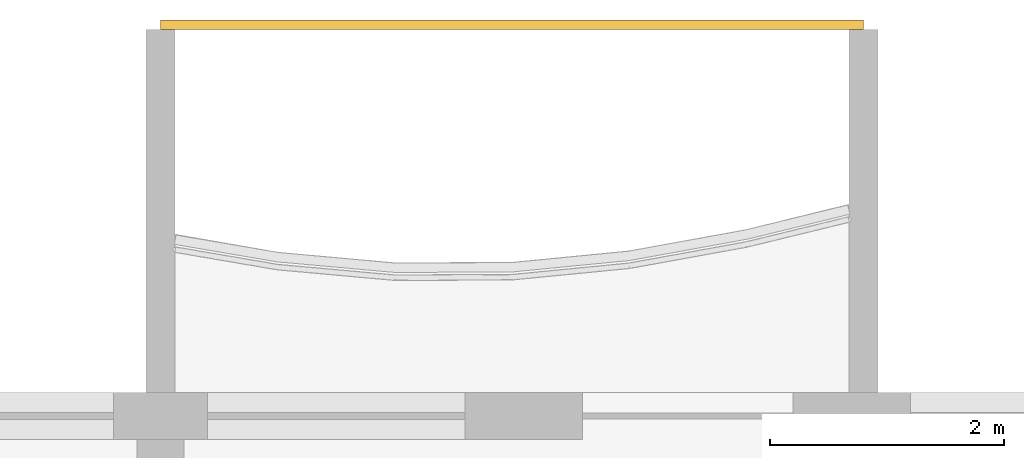
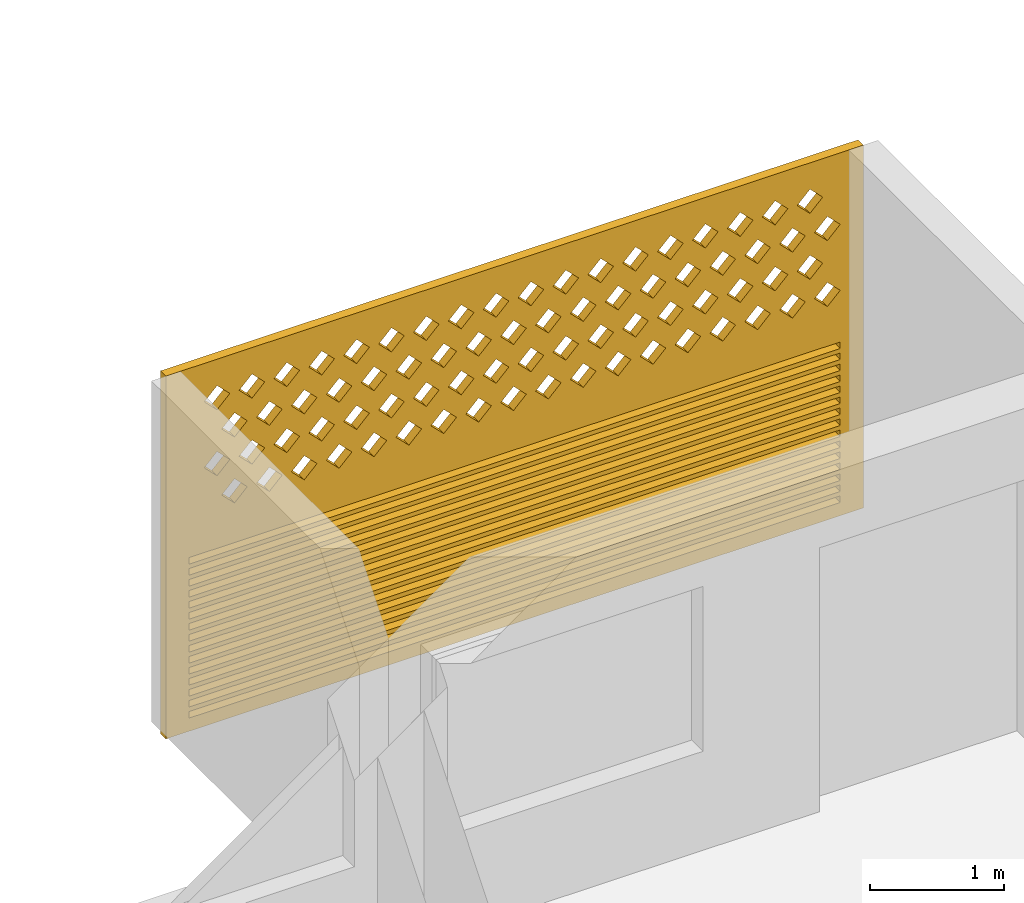
# One storey, part 27 of 40: 1 covering.
"""IFC4 building model written with IfcOpenShell, lengths in metres."""

from ifc_helpers import new_model, si_unit, direction, frame, origin, place, context, subcontext, project, spatial, polyline, outline, extrude, source, transform, mapped, material, material_profile, profile_set, type_object, element, save


model = new_model("IFC4")

# Units and contexts
model_context = context("Model", 3, precision=1e-05, world=origin(), true_north=direction((0.0, 1.0)))
body_context = subcontext(model_context, "Body", "Model", "MODEL_VIEW")
ifc_project = project(units=[si_unit("LENGTHUNIT", "METRE"), si_unit("AREAUNIT", "SQUARE_METRE"), si_unit("VOLUMEUNIT", "CUBIC_METRE"), si_unit("PLANEANGLEUNIT", "RADIAN"), si_unit("MASSUNIT", "GRAM", prefix="KILO")], contexts=[model_context])

# Site, building, storey
site_placement = place(None, origin())
site = spatial("IfcSite", under=ifc_project, at=site_placement, CompositionType="ELEMENT")
building_placement = place(site_placement, origin())
building = spatial("IfcBuilding", under=site, at=building_placement, Name="Poui Terraces", CompositionType="ELEMENT")
storey_placement = place(building_placement, frame((0.0, 0.0, 36.60009765625)))
storey = spatial("IfcBuildingStorey", under=building, at=storey_placement, Name="L09", CompositionType="ELEMENT", Elevation=36.60009765625)

# Covering
ifc_material = material(Name="Terracotta screen", Category="masonry")
ifc_material_profile = material_profile(ifc_material, outline(polyline([(-3.0, -1.64990234375), (3.0, -1.64990234375), (3.0, 1.64990234375), (-3.0, 1.64990234375), (-3.0, -1.64990234375)]), holes=[polyline([(-2.800048828125, 0.39990234375), (-2.68994140625, 0.2900390625), (-2.580078125, 0.39990234375), (-2.68994140625, 0.510009765625), (-2.800048828125, 0.39990234375)]), polyline([(-2.5, 0.39990234375), (-2.389892578125, 0.2900390625), (-2.280029296875, 0.39990234375), (-2.389892578125, 0.510009765625), (-2.5, 0.39990234375)]), polyline([(-2.199951171875, 0.39990234375), (-2.090087890625, 0.2900390625), (-1.97998046875, 0.39990234375), (-2.090087890625, 0.510009765625), (-2.199951171875, 0.39990234375)]), polyline([(-1.89990234375, 0.39990234375), (-1.7900390625, 0.2900390625), (-1.679931640625, 0.39990234375), (-1.7900390625, 0.510009765625), (-1.89990234375, 0.39990234375)]), polyline([(-1.60009765625, 0.39990234375), (-1.489990234375, 0.2900390625), (-1.3798828125, 0.39990234375), (-1.489990234375, 0.510009765625), (-1.60009765625, 0.39990234375)]), polyline([(-1.300048828125, 0.39990234375), (-1.18994140625, 0.2900390625), (-1.080078125, 0.39990234375), (-1.18994140625, 0.510009765625), (-1.300048828125, 0.39990234375)]), polyline([(-1.0, 0.39990234375), (-0.889892578125, 0.2900390625), (-0.780029296875, 0.39990234375), (-0.889892578125, 0.510009765625), (-1.0, 0.39990234375)]), polyline([(-0.699951171875, 0.39990234375), (-0.590087890625, 0.2900390625), (-0.47998046875, 0.39990234375), (-0.590087890625, 0.510009765625), (-0.699951171875, 0.39990234375)]), polyline([(-0.39990234375, 0.39990234375), (-0.2900390625, 0.2900390625), (-0.179931640625, 0.39990234375), (-0.2900390625, 0.510009765625), (-0.39990234375, 0.39990234375)]), polyline([(-0.10009765625, 0.39990234375), (0.010009765625, 0.2900390625), (0.1201171875, 0.39990234375), (0.010009765625, 0.510009765625), (-0.10009765625, 0.39990234375)]), polyline([(0.199951171875, 0.39990234375), (0.31005859375, 0.2900390625), (0.419921875, 0.39990234375), (0.31005859375, 0.510009765625), (0.199951171875, 0.39990234375)]), polyline([(0.5, 0.39990234375), (0.610107421875, 0.2900390625), (0.719970703125, 0.39990234375), (0.610107421875, 0.510009765625), (0.5, 0.39990234375)]), polyline([(0.800048828125, 0.39990234375), (0.909912109375, 0.2900390625), (1.02001953125, 0.39990234375), (0.909912109375, 0.510009765625), (0.800048828125, 0.39990234375)]), polyline([(1.10009765625, 0.39990234375), (1.2099609375, 0.2900390625), (1.320068359375, 0.39990234375), (1.2099609375, 0.510009765625), (1.10009765625, 0.39990234375)]), polyline([(1.39990234375, 0.39990234375), (1.510009765625, 0.2900390625), (1.6201171875, 0.39990234375), (1.510009765625, 0.510009765625), (1.39990234375, 0.39990234375)]), polyline([(1.699951171875, 0.39990234375), (1.81005859375, 0.2900390625), (1.919921875, 0.39990234375), (1.81005859375, 0.510009765625), (1.699951171875, 0.39990234375)]), polyline([(2.0, 0.39990234375), (2.110107421875, 0.2900390625), (2.219970703125, 0.39990234375), (2.110107421875, 0.510009765625), (2.0, 0.39990234375)]), polyline([(2.300048828125, 0.39990234375), (2.409912109375, 0.2900390625), (2.52001953125, 0.39990234375), (2.409912109375, 0.510009765625), (2.300048828125, 0.39990234375)]), polyline([(-2.64990234375, 0.699951171875), (-2.5400390625, 0.590087890625), (-2.429931640625, 0.699951171875), (-2.5400390625, 0.81005859375), (-2.64990234375, 0.699951171875)]), polyline([(-2.35009765625, 0.699951171875), (-2.239990234375, 0.590087890625), (-2.1298828125, 0.699951171875), (-2.239990234375, 0.81005859375), (-2.35009765625, 0.699951171875)]), polyline([(-2.050048828125, 0.699951171875), (-1.93994140625, 0.590087890625), (-1.830078125, 0.699951171875), (-1.93994140625, 0.81005859375), (-2.050048828125, 0.699951171875)]), polyline([(-1.75, 0.699951171875), (-1.639892578125, 0.590087890625), (-1.530029296875, 0.699951171875), (-1.639892578125, 0.81005859375), (-1.75, 0.699951171875)]), polyline([(-1.449951171875, 0.699951171875), (-1.340087890625, 0.590087890625), (-1.22998046875, 0.699951171875), (-1.340087890625, 0.81005859375), (-1.449951171875, 0.699951171875)]), polyline([(-1.14990234375, 0.699951171875), (-1.0400390625, 0.590087890625), (-0.929931640625, 0.699951171875), (-1.0400390625, 0.81005859375), (-1.14990234375, 0.699951171875)]), polyline([(-0.85009765625, 0.699951171875), (-0.739990234375, 0.590087890625), (-0.6298828125, 0.699951171875), (-0.739990234375, 0.81005859375), (-0.85009765625, 0.699951171875)]), polyline([(-0.550048828125, 0.699951171875), (-0.43994140625, 0.590087890625), (-0.330078125, 0.699951171875), (-0.43994140625, 0.81005859375), (-0.550048828125, 0.699951171875)]), polyline([(-0.25, 0.699951171875), (-0.139892578125, 0.590087890625), (-0.030029296875, 0.699951171875), (-0.139892578125, 0.81005859375), (-0.25, 0.699951171875)]), polyline([(0.050048828125, 0.699951171875), (0.159912109375, 0.590087890625), (0.27001953125, 0.699951171875), (0.159912109375, 0.81005859375), (0.050048828125, 0.699951171875)]), polyline([(0.35009765625, 0.699951171875), (0.4599609375, 0.590087890625), (0.570068359375, 0.699951171875), (0.4599609375, 0.81005859375), (0.35009765625, 0.699951171875)]), polyline([(0.64990234375, 0.699951171875), (0.760009765625, 0.590087890625), (0.8701171875, 0.699951171875), (0.760009765625, 0.81005859375), (0.64990234375, 0.699951171875)]), polyline([(0.949951171875, 0.699951171875), (1.06005859375, 0.590087890625), (1.169921875, 0.699951171875), (1.06005859375, 0.81005859375), (0.949951171875, 0.699951171875)]), polyline([(1.25, 0.699951171875), (1.360107421875, 0.590087890625), (1.469970703125, 0.699951171875), (1.360107421875, 0.81005859375), (1.25, 0.699951171875)]), polyline([(1.550048828125, 0.699951171875), (1.659912109375, 0.590087890625), (1.77001953125, 0.699951171875), (1.659912109375, 0.81005859375), (1.550048828125, 0.699951171875)]), polyline([(1.85009765625, 0.699951171875), (1.9599609375, 0.590087890625), (2.070068359375, 0.699951171875), (1.9599609375, 0.81005859375), (1.85009765625, 0.699951171875)]), polyline([(2.14990234375, 0.699951171875), (2.260009765625, 0.590087890625), (2.3701171875, 0.699951171875), (2.260009765625, 0.81005859375), (2.14990234375, 0.699951171875)]), polyline([(2.449951171875, 0.699951171875), (2.56005859375, 0.590087890625), (2.669921875, 0.699951171875), (2.56005859375, 0.81005859375), (2.449951171875, 0.699951171875)]), polyline([(-2.800048828125, 1.0), (-2.68994140625, 0.889892578125), (-2.580078125, 1.0), (-2.68994140625, 1.110107421875), (-2.800048828125, 1.0)]), polyline([(-2.5, 1.0), (-2.389892578125, 0.889892578125), (-2.280029296875, 1.0), (-2.389892578125, 1.110107421875), (-2.5, 1.0)]), polyline([(-2.199951171875, 1.0), (-2.090087890625, 0.889892578125), (-1.97998046875, 1.0), (-2.090087890625, 1.110107421875), (-2.199951171875, 1.0)]), polyline([(-1.89990234375, 1.0), (-1.7900390625, 0.889892578125), (-1.679931640625, 1.0), (-1.7900390625, 1.110107421875), (-1.89990234375, 1.0)]), polyline([(-1.60009765625, 1.0), (-1.489990234375, 0.889892578125), (-1.3798828125, 1.0), (-1.489990234375, 1.110107421875), (-1.60009765625, 1.0)]), polyline([(-1.300048828125, 1.0), (-1.18994140625, 0.889892578125), (-1.080078125, 1.0), (-1.18994140625, 1.110107421875), (-1.300048828125, 1.0)]), polyline([(-1.0, 1.0), (-0.889892578125, 0.889892578125), (-0.780029296875, 1.0), (-0.889892578125, 1.110107421875), (-1.0, 1.0)]), polyline([(-0.699951171875, 1.0), (-0.590087890625, 0.889892578125), (-0.47998046875, 1.0), (-0.590087890625, 1.110107421875), (-0.699951171875, 1.0)]), polyline([(-0.39990234375, 1.0), (-0.2900390625, 0.889892578125), (-0.179931640625, 1.0), (-0.2900390625, 1.110107421875), (-0.39990234375, 1.0)]), polyline([(-0.10009765625, 1.0), (0.010009765625, 0.889892578125), (0.1201171875, 1.0), (0.010009765625, 1.110107421875), (-0.10009765625, 1.0)]), polyline([(0.199951171875, 1.0), (0.31005859375, 0.889892578125), (0.419921875, 1.0), (0.31005859375, 1.110107421875), (0.199951171875, 1.0)]), polyline([(0.5, 1.0), (0.610107421875, 0.889892578125), (0.719970703125, 1.0), (0.610107421875, 1.110107421875), (0.5, 1.0)]), polyline([(0.800048828125, 1.0), (0.909912109375, 0.889892578125), (1.02001953125, 1.0), (0.909912109375, 1.110107421875), (0.800048828125, 1.0)]), polyline([(1.10009765625, 1.0), (1.2099609375, 0.889892578125), (1.320068359375, 1.0), (1.2099609375, 1.110107421875), (1.10009765625, 1.0)]), polyline([(1.39990234375, 1.0), (1.510009765625, 0.889892578125), (1.6201171875, 1.0), (1.510009765625, 1.110107421875), (1.39990234375, 1.0)]), polyline([(1.699951171875, 1.0), (1.81005859375, 0.889892578125), (1.919921875, 1.0), (1.81005859375, 1.110107421875), (1.699951171875, 1.0)]), polyline([(2.0, 1.0), (2.110107421875, 0.889892578125), (2.219970703125, 1.0), (2.110107421875, 1.110107421875), (2.0, 1.0)]), polyline([(2.300048828125, 1.0), (2.409912109375, 0.889892578125), (2.52001953125, 1.0), (2.409912109375, 1.110107421875), (2.300048828125, 1.0)]), polyline([(-2.64990234375, 1.300048828125), (-2.5400390625, 1.18994140625), (-2.429931640625, 1.300048828125), (-2.5400390625, 1.409912109375), (-2.64990234375, 1.300048828125)]), polyline([(-2.35009765625, 1.300048828125), (-2.239990234375, 1.18994140625), (-2.1298828125, 1.300048828125), (-2.239990234375, 1.409912109375), (-2.35009765625, 1.300048828125)]), polyline([(-2.050048828125, 1.300048828125), (-1.93994140625, 1.18994140625), (-1.830078125, 1.300048828125), (-1.93994140625, 1.409912109375), (-2.050048828125, 1.300048828125)]), polyline([(-1.75, 1.300048828125), (-1.639892578125, 1.18994140625), (-1.530029296875, 1.300048828125), (-1.639892578125, 1.409912109375), (-1.75, 1.300048828125)]), polyline([(-1.449951171875, 1.300048828125), (-1.340087890625, 1.18994140625), (-1.22998046875, 1.300048828125), (-1.340087890625, 1.409912109375), (-1.449951171875, 1.300048828125)]), polyline([(-1.14990234375, 1.300048828125), (-1.0400390625, 1.18994140625), (-0.929931640625, 1.300048828125), (-1.0400390625, 1.409912109375), (-1.14990234375, 1.300048828125)]), polyline([(-0.85009765625, 1.300048828125), (-0.739990234375, 1.18994140625), (-0.6298828125, 1.300048828125), (-0.739990234375, 1.409912109375), (-0.85009765625, 1.300048828125)]), polyline([(-0.550048828125, 1.300048828125), (-0.43994140625, 1.18994140625), (-0.330078125, 1.300048828125), (-0.43994140625, 1.409912109375), (-0.550048828125, 1.300048828125)]), polyline([(-0.25, 1.300048828125), (-0.139892578125, 1.18994140625), (-0.030029296875, 1.300048828125), (-0.139892578125, 1.409912109375), (-0.25, 1.300048828125)]), polyline([(0.050048828125, 1.300048828125), (0.159912109375, 1.18994140625), (0.27001953125, 1.300048828125), (0.159912109375, 1.409912109375), (0.050048828125, 1.300048828125)]), polyline([(0.35009765625, 1.300048828125), (0.4599609375, 1.18994140625), (0.570068359375, 1.300048828125), (0.4599609375, 1.409912109375), (0.35009765625, 1.300048828125)]), polyline([(0.64990234375, 1.300048828125), (0.760009765625, 1.18994140625), (0.8701171875, 1.300048828125), (0.760009765625, 1.409912109375), (0.64990234375, 1.300048828125)]), polyline([(0.949951171875, 1.300048828125), (1.06005859375, 1.18994140625), (1.169921875, 1.300048828125), (1.06005859375, 1.409912109375), (0.949951171875, 1.300048828125)]), polyline([(1.25, 1.300048828125), (1.360107421875, 1.18994140625), (1.469970703125, 1.300048828125), (1.360107421875, 1.409912109375), (1.25, 1.300048828125)]), polyline([(1.550048828125, 1.300048828125), (1.659912109375, 1.18994140625), (1.77001953125, 1.300048828125), (1.659912109375, 1.409912109375), (1.550048828125, 1.300048828125)]), polyline([(1.85009765625, 1.300048828125), (1.9599609375, 1.18994140625), (2.070068359375, 1.300048828125), (1.9599609375, 1.409912109375), (1.85009765625, 1.300048828125)]), polyline([(2.14990234375, 1.300048828125), (2.260009765625, 1.18994140625), (2.3701171875, 1.300048828125), (2.260009765625, 1.409912109375), (2.14990234375, 1.300048828125)]), polyline([(2.449951171875, 1.300048828125), (2.56005859375, 1.18994140625), (2.669921875, 1.300048828125), (2.56005859375, 1.409912109375), (2.449951171875, 1.300048828125)]), polyline([(-2.800048828125, -1.530029296875), (2.800048828125, -1.530029296875), (2.800048828125, -1.469970703125), (-2.800048828125, -1.469970703125), (-2.800048828125, -1.530029296875)]), polyline([(-2.800048828125, -1.429931640625), (2.800048828125, -1.429931640625), (2.800048828125, -1.3701171875), (-2.800048828125, -1.3701171875), (-2.800048828125, -1.429931640625)]), polyline([(-2.800048828125, -1.330078125), (2.800048828125, -1.330078125), (2.800048828125, -1.27001953125), (-2.800048828125, -1.27001953125), (-2.800048828125, -1.330078125)]), polyline([(-2.800048828125, -1.22998046875), (2.800048828125, -1.22998046875), (2.800048828125, -1.169921875), (-2.800048828125, -1.169921875), (-2.800048828125, -1.22998046875)]), polyline([(-2.800048828125, -1.1298828125), (2.800048828125, -1.1298828125), (2.800048828125, -1.070068359375), (-2.800048828125, -1.070068359375), (-2.800048828125, -1.1298828125)]), polyline([(-2.800048828125, -1.030029296875), (2.800048828125, -1.030029296875), (2.800048828125, -0.969970703125), (-2.800048828125, -0.969970703125), (-2.800048828125, -1.030029296875)]), polyline([(-2.800048828125, -0.929931640625), (2.800048828125, -0.929931640625), (2.800048828125, -0.8701171875), (-2.800048828125, -0.8701171875), (-2.800048828125, -0.929931640625)]), polyline([(-2.800048828125, -0.830078125), (2.800048828125, -0.830078125), (2.800048828125, -0.77001953125), (-2.800048828125, -0.77001953125), (-2.800048828125, -0.830078125)]), polyline([(-2.800048828125, -0.72998046875), (2.800048828125, -0.72998046875), (2.800048828125, -0.669921875), (-2.800048828125, -0.669921875), (-2.800048828125, -0.72998046875)]), polyline([(-2.800048828125, -0.6298828125), (2.800048828125, -0.6298828125), (2.800048828125, -0.570068359375), (-2.800048828125, -0.570068359375), (-2.800048828125, -0.6298828125)]), polyline([(-2.800048828125, -0.530029296875), (2.800048828125, -0.530029296875), (2.800048828125, -0.469970703125), (-2.800048828125, -0.469970703125), (-2.800048828125, -0.530029296875)]), polyline([(-2.800048828125, -0.429931640625), (2.800048828125, -0.429931640625), (2.800048828125, -0.3701171875), (-2.800048828125, -0.3701171875), (-2.800048828125, -0.429931640625)]), polyline([(-2.800048828125, -0.330078125), (2.800048828125, -0.330078125), (2.800048828125, -0.27001953125), (-2.800048828125, -0.27001953125), (-2.800048828125, -0.330078125)]), polyline([(-2.800048828125, -0.22998046875), (2.800048828125, -0.22998046875), (2.800048828125, -0.169921875), (-2.800048828125, -0.169921875), (-2.800048828125, -0.22998046875)]), polyline([(-2.800048828125, -0.1298828125), (2.800048828125, -0.1298828125), (2.800048828125, -0.070068359375), (-2.800048828125, -0.070068359375), (-2.800048828125, -0.1298828125)])]), Name="TERRACOTTA SCREEN AND JALOUSIE LOUVRE 6000X3300")
ifc_profile_set = profile_set([ifc_material_profile], Name="Terracotta screen")
covering_type = type_object("IfcCoveringType", Name="TERRACOTTA SCREEN AND JALOUSIE LOUVRE 6000X3300", PredefinedType="CLADDING", material=ifc_profile_set)
shared_shape = source(origin(), body_context, "Body", "SweptSolid", [
    extrude(outline(polyline([(-3.0, -1.64990234375), (3.0, -1.64990234375), (3.0, 1.64990234375), (-3.0, 1.64990234375), (-3.0, -1.64990234375)]), holes=[polyline([(-2.800048828125, 0.39990234375), (-2.68994140625, 0.2900390625), (-2.580078125, 0.39990234375), (-2.68994140625, 0.510009765625), (-2.800048828125, 0.39990234375)]), polyline([(-2.5, 0.39990234375), (-2.389892578125, 0.2900390625), (-2.280029296875, 0.39990234375), (-2.389892578125, 0.510009765625), (-2.5, 0.39990234375)]), polyline([(-2.199951171875, 0.39990234375), (-2.090087890625, 0.2900390625), (-1.97998046875, 0.39990234375), (-2.090087890625, 0.510009765625), (-2.199951171875, 0.39990234375)]), polyline([(-1.89990234375, 0.39990234375), (-1.7900390625, 0.2900390625), (-1.679931640625, 0.39990234375), (-1.7900390625, 0.510009765625), (-1.89990234375, 0.39990234375)]), polyline([(-1.60009765625, 0.39990234375), (-1.489990234375, 0.2900390625), (-1.3798828125, 0.39990234375), (-1.489990234375, 0.510009765625), (-1.60009765625, 0.39990234375)]), polyline([(-1.300048828125, 0.39990234375), (-1.18994140625, 0.2900390625), (-1.080078125, 0.39990234375), (-1.18994140625, 0.510009765625), (-1.300048828125, 0.39990234375)]), polyline([(-1.0, 0.39990234375), (-0.889892578125, 0.2900390625), (-0.780029296875, 0.39990234375), (-0.889892578125, 0.510009765625), (-1.0, 0.39990234375)]), polyline([(-0.699951171875, 0.39990234375), (-0.590087890625, 0.2900390625), (-0.47998046875, 0.39990234375), (-0.590087890625, 0.510009765625), (-0.699951171875, 0.39990234375)]), polyline([(-0.39990234375, 0.39990234375), (-0.2900390625, 0.2900390625), (-0.179931640625, 0.39990234375), (-0.2900390625, 0.510009765625), (-0.39990234375, 0.39990234375)]), polyline([(-0.10009765625, 0.39990234375), (0.010009765625, 0.2900390625), (0.1201171875, 0.39990234375), (0.010009765625, 0.510009765625), (-0.10009765625, 0.39990234375)]), polyline([(0.199951171875, 0.39990234375), (0.31005859375, 0.2900390625), (0.419921875, 0.39990234375), (0.31005859375, 0.510009765625), (0.199951171875, 0.39990234375)]), polyline([(0.5, 0.39990234375), (0.610107421875, 0.2900390625), (0.719970703125, 0.39990234375), (0.610107421875, 0.510009765625), (0.5, 0.39990234375)]), polyline([(0.800048828125, 0.39990234375), (0.909912109375, 0.2900390625), (1.02001953125, 0.39990234375), (0.909912109375, 0.510009765625), (0.800048828125, 0.39990234375)]), polyline([(1.10009765625, 0.39990234375), (1.2099609375, 0.2900390625), (1.320068359375, 0.39990234375), (1.2099609375, 0.510009765625), (1.10009765625, 0.39990234375)]), polyline([(1.39990234375, 0.39990234375), (1.510009765625, 0.2900390625), (1.6201171875, 0.39990234375), (1.510009765625, 0.510009765625), (1.39990234375, 0.39990234375)]), polyline([(1.699951171875, 0.39990234375), (1.81005859375, 0.2900390625), (1.919921875, 0.39990234375), (1.81005859375, 0.510009765625), (1.699951171875, 0.39990234375)]), polyline([(2.0, 0.39990234375), (2.110107421875, 0.2900390625), (2.219970703125, 0.39990234375), (2.110107421875, 0.510009765625), (2.0, 0.39990234375)]), polyline([(2.300048828125, 0.39990234375), (2.409912109375, 0.2900390625), (2.52001953125, 0.39990234375), (2.409912109375, 0.510009765625), (2.300048828125, 0.39990234375)]), polyline([(-2.64990234375, 0.699951171875), (-2.5400390625, 0.590087890625), (-2.429931640625, 0.699951171875), (-2.5400390625, 0.81005859375), (-2.64990234375, 0.699951171875)]), polyline([(-2.35009765625, 0.699951171875), (-2.239990234375, 0.590087890625), (-2.1298828125, 0.699951171875), (-2.239990234375, 0.81005859375), (-2.35009765625, 0.699951171875)]), polyline([(-2.050048828125, 0.699951171875), (-1.93994140625, 0.590087890625), (-1.830078125, 0.699951171875), (-1.93994140625, 0.81005859375), (-2.050048828125, 0.699951171875)]), polyline([(-1.75, 0.699951171875), (-1.639892578125, 0.590087890625), (-1.530029296875, 0.699951171875), (-1.639892578125, 0.81005859375), (-1.75, 0.699951171875)]), polyline([(-1.449951171875, 0.699951171875), (-1.340087890625, 0.590087890625), (-1.22998046875, 0.699951171875), (-1.340087890625, 0.81005859375), (-1.449951171875, 0.699951171875)]), polyline([(-1.14990234375, 0.699951171875), (-1.0400390625, 0.590087890625), (-0.929931640625, 0.699951171875), (-1.0400390625, 0.81005859375), (-1.14990234375, 0.699951171875)]), polyline([(-0.85009765625, 0.699951171875), (-0.739990234375, 0.590087890625), (-0.6298828125, 0.699951171875), (-0.739990234375, 0.81005859375), (-0.85009765625, 0.699951171875)]), polyline([(-0.550048828125, 0.699951171875), (-0.43994140625, 0.590087890625), (-0.330078125, 0.699951171875), (-0.43994140625, 0.81005859375), (-0.550048828125, 0.699951171875)]), polyline([(-0.25, 0.699951171875), (-0.139892578125, 0.590087890625), (-0.030029296875, 0.699951171875), (-0.139892578125, 0.81005859375), (-0.25, 0.699951171875)]), polyline([(0.050048828125, 0.699951171875), (0.159912109375, 0.590087890625), (0.27001953125, 0.699951171875), (0.159912109375, 0.81005859375), (0.050048828125, 0.699951171875)]), polyline([(0.35009765625, 0.699951171875), (0.4599609375, 0.590087890625), (0.570068359375, 0.699951171875), (0.4599609375, 0.81005859375), (0.35009765625, 0.699951171875)]), polyline([(0.64990234375, 0.699951171875), (0.760009765625, 0.590087890625), (0.8701171875, 0.699951171875), (0.760009765625, 0.81005859375), (0.64990234375, 0.699951171875)]), polyline([(0.949951171875, 0.699951171875), (1.06005859375, 0.590087890625), (1.169921875, 0.699951171875), (1.06005859375, 0.81005859375), (0.949951171875, 0.699951171875)]), polyline([(1.25, 0.699951171875), (1.360107421875, 0.590087890625), (1.469970703125, 0.699951171875), (1.360107421875, 0.81005859375), (1.25, 0.699951171875)]), polyline([(1.550048828125, 0.699951171875), (1.659912109375, 0.590087890625), (1.77001953125, 0.699951171875), (1.659912109375, 0.81005859375), (1.550048828125, 0.699951171875)]), polyline([(1.85009765625, 0.699951171875), (1.9599609375, 0.590087890625), (2.070068359375, 0.699951171875), (1.9599609375, 0.81005859375), (1.85009765625, 0.699951171875)]), polyline([(2.14990234375, 0.699951171875), (2.260009765625, 0.590087890625), (2.3701171875, 0.699951171875), (2.260009765625, 0.81005859375), (2.14990234375, 0.699951171875)]), polyline([(2.449951171875, 0.699951171875), (2.56005859375, 0.590087890625), (2.669921875, 0.699951171875), (2.56005859375, 0.81005859375), (2.449951171875, 0.699951171875)]), polyline([(-2.800048828125, 1.0), (-2.68994140625, 0.889892578125), (-2.580078125, 1.0), (-2.68994140625, 1.110107421875), (-2.800048828125, 1.0)]), polyline([(-2.5, 1.0), (-2.389892578125, 0.889892578125), (-2.280029296875, 1.0), (-2.389892578125, 1.110107421875), (-2.5, 1.0)]), polyline([(-2.199951171875, 1.0), (-2.090087890625, 0.889892578125), (-1.97998046875, 1.0), (-2.090087890625, 1.110107421875), (-2.199951171875, 1.0)]), polyline([(-1.89990234375, 1.0), (-1.7900390625, 0.889892578125), (-1.679931640625, 1.0), (-1.7900390625, 1.110107421875), (-1.89990234375, 1.0)]), polyline([(-1.60009765625, 1.0), (-1.489990234375, 0.889892578125), (-1.3798828125, 1.0), (-1.489990234375, 1.110107421875), (-1.60009765625, 1.0)]), polyline([(-1.300048828125, 1.0), (-1.18994140625, 0.889892578125), (-1.080078125, 1.0), (-1.18994140625, 1.110107421875), (-1.300048828125, 1.0)]), polyline([(-1.0, 1.0), (-0.889892578125, 0.889892578125), (-0.780029296875, 1.0), (-0.889892578125, 1.110107421875), (-1.0, 1.0)]), polyline([(-0.699951171875, 1.0), (-0.590087890625, 0.889892578125), (-0.47998046875, 1.0), (-0.590087890625, 1.110107421875), (-0.699951171875, 1.0)]), polyline([(-0.39990234375, 1.0), (-0.2900390625, 0.889892578125), (-0.179931640625, 1.0), (-0.2900390625, 1.110107421875), (-0.39990234375, 1.0)]), polyline([(-0.10009765625, 1.0), (0.010009765625, 0.889892578125), (0.1201171875, 1.0), (0.010009765625, 1.110107421875), (-0.10009765625, 1.0)]), polyline([(0.199951171875, 1.0), (0.31005859375, 0.889892578125), (0.419921875, 1.0), (0.31005859375, 1.110107421875), (0.199951171875, 1.0)]), polyline([(0.5, 1.0), (0.610107421875, 0.889892578125), (0.719970703125, 1.0), (0.610107421875, 1.110107421875), (0.5, 1.0)]), polyline([(0.800048828125, 1.0), (0.909912109375, 0.889892578125), (1.02001953125, 1.0), (0.909912109375, 1.110107421875), (0.800048828125, 1.0)]), polyline([(1.10009765625, 1.0), (1.2099609375, 0.889892578125), (1.320068359375, 1.0), (1.2099609375, 1.110107421875), (1.10009765625, 1.0)]), polyline([(1.39990234375, 1.0), (1.510009765625, 0.889892578125), (1.6201171875, 1.0), (1.510009765625, 1.110107421875), (1.39990234375, 1.0)]), polyline([(1.699951171875, 1.0), (1.81005859375, 0.889892578125), (1.919921875, 1.0), (1.81005859375, 1.110107421875), (1.699951171875, 1.0)]), polyline([(2.0, 1.0), (2.110107421875, 0.889892578125), (2.219970703125, 1.0), (2.110107421875, 1.110107421875), (2.0, 1.0)]), polyline([(2.300048828125, 1.0), (2.409912109375, 0.889892578125), (2.52001953125, 1.0), (2.409912109375, 1.110107421875), (2.300048828125, 1.0)]), polyline([(-2.64990234375, 1.300048828125), (-2.5400390625, 1.18994140625), (-2.429931640625, 1.300048828125), (-2.5400390625, 1.409912109375), (-2.64990234375, 1.300048828125)]), polyline([(-2.35009765625, 1.300048828125), (-2.239990234375, 1.18994140625), (-2.1298828125, 1.300048828125), (-2.239990234375, 1.409912109375), (-2.35009765625, 1.300048828125)]), polyline([(-2.050048828125, 1.300048828125), (-1.93994140625, 1.18994140625), (-1.830078125, 1.300048828125), (-1.93994140625, 1.409912109375), (-2.050048828125, 1.300048828125)]), polyline([(-1.75, 1.300048828125), (-1.639892578125, 1.18994140625), (-1.530029296875, 1.300048828125), (-1.639892578125, 1.409912109375), (-1.75, 1.300048828125)]), polyline([(-1.449951171875, 1.300048828125), (-1.340087890625, 1.18994140625), (-1.22998046875, 1.300048828125), (-1.340087890625, 1.409912109375), (-1.449951171875, 1.300048828125)]), polyline([(-1.14990234375, 1.300048828125), (-1.0400390625, 1.18994140625), (-0.929931640625, 1.300048828125), (-1.0400390625, 1.409912109375), (-1.14990234375, 1.300048828125)]), polyline([(-0.85009765625, 1.300048828125), (-0.739990234375, 1.18994140625), (-0.6298828125, 1.300048828125), (-0.739990234375, 1.409912109375), (-0.85009765625, 1.300048828125)]), polyline([(-0.550048828125, 1.300048828125), (-0.43994140625, 1.18994140625), (-0.330078125, 1.300048828125), (-0.43994140625, 1.409912109375), (-0.550048828125, 1.300048828125)]), polyline([(-0.25, 1.300048828125), (-0.139892578125, 1.18994140625), (-0.030029296875, 1.300048828125), (-0.139892578125, 1.409912109375), (-0.25, 1.300048828125)]), polyline([(0.050048828125, 1.300048828125), (0.159912109375, 1.18994140625), (0.27001953125, 1.300048828125), (0.159912109375, 1.409912109375), (0.050048828125, 1.300048828125)]), polyline([(0.35009765625, 1.300048828125), (0.4599609375, 1.18994140625), (0.570068359375, 1.300048828125), (0.4599609375, 1.409912109375), (0.35009765625, 1.300048828125)]), polyline([(0.64990234375, 1.300048828125), (0.760009765625, 1.18994140625), (0.8701171875, 1.300048828125), (0.760009765625, 1.409912109375), (0.64990234375, 1.300048828125)]), polyline([(0.949951171875, 1.300048828125), (1.06005859375, 1.18994140625), (1.169921875, 1.300048828125), (1.06005859375, 1.409912109375), (0.949951171875, 1.300048828125)]), polyline([(1.25, 1.300048828125), (1.360107421875, 1.18994140625), (1.469970703125, 1.300048828125), (1.360107421875, 1.409912109375), (1.25, 1.300048828125)]), polyline([(1.550048828125, 1.300048828125), (1.659912109375, 1.18994140625), (1.77001953125, 1.300048828125), (1.659912109375, 1.409912109375), (1.550048828125, 1.300048828125)]), polyline([(1.85009765625, 1.300048828125), (1.9599609375, 1.18994140625), (2.070068359375, 1.300048828125), (1.9599609375, 1.409912109375), (1.85009765625, 1.300048828125)]), polyline([(2.14990234375, 1.300048828125), (2.260009765625, 1.18994140625), (2.3701171875, 1.300048828125), (2.260009765625, 1.409912109375), (2.14990234375, 1.300048828125)]), polyline([(2.449951171875, 1.300048828125), (2.56005859375, 1.18994140625), (2.669921875, 1.300048828125), (2.56005859375, 1.409912109375), (2.449951171875, 1.300048828125)]), polyline([(-2.800048828125, -1.530029296875), (2.800048828125, -1.530029296875), (2.800048828125, -1.469970703125), (-2.800048828125, -1.469970703125), (-2.800048828125, -1.530029296875)]), polyline([(-2.800048828125, -1.429931640625), (2.800048828125, -1.429931640625), (2.800048828125, -1.3701171875), (-2.800048828125, -1.3701171875), (-2.800048828125, -1.429931640625)]), polyline([(-2.800048828125, -1.330078125), (2.800048828125, -1.330078125), (2.800048828125, -1.27001953125), (-2.800048828125, -1.27001953125), (-2.800048828125, -1.330078125)]), polyline([(-2.800048828125, -1.22998046875), (2.800048828125, -1.22998046875), (2.800048828125, -1.169921875), (-2.800048828125, -1.169921875), (-2.800048828125, -1.22998046875)]), polyline([(-2.800048828125, -1.1298828125), (2.800048828125, -1.1298828125), (2.800048828125, -1.070068359375), (-2.800048828125, -1.070068359375), (-2.800048828125, -1.1298828125)]), polyline([(-2.800048828125, -1.030029296875), (2.800048828125, -1.030029296875), (2.800048828125, -0.969970703125), (-2.800048828125, -0.969970703125), (-2.800048828125, -1.030029296875)]), polyline([(-2.800048828125, -0.929931640625), (2.800048828125, -0.929931640625), (2.800048828125, -0.8701171875), (-2.800048828125, -0.8701171875), (-2.800048828125, -0.929931640625)]), polyline([(-2.800048828125, -0.830078125), (2.800048828125, -0.830078125), (2.800048828125, -0.77001953125), (-2.800048828125, -0.77001953125), (-2.800048828125, -0.830078125)]), polyline([(-2.800048828125, -0.72998046875), (2.800048828125, -0.72998046875), (2.800048828125, -0.669921875), (-2.800048828125, -0.669921875), (-2.800048828125, -0.72998046875)]), polyline([(-2.800048828125, -0.6298828125), (2.800048828125, -0.6298828125), (2.800048828125, -0.570068359375), (-2.800048828125, -0.570068359375), (-2.800048828125, -0.6298828125)]), polyline([(-2.800048828125, -0.530029296875), (2.800048828125, -0.530029296875), (2.800048828125, -0.469970703125), (-2.800048828125, -0.469970703125), (-2.800048828125, -0.530029296875)]), polyline([(-2.800048828125, -0.429931640625), (2.800048828125, -0.429931640625), (2.800048828125, -0.3701171875), (-2.800048828125, -0.3701171875), (-2.800048828125, -0.429931640625)]), polyline([(-2.800048828125, -0.330078125), (2.800048828125, -0.330078125), (2.800048828125, -0.27001953125), (-2.800048828125, -0.27001953125), (-2.800048828125, -0.330078125)]), polyline([(-2.800048828125, -0.22998046875), (2.800048828125, -0.22998046875), (2.800048828125, -0.169921875), (-2.800048828125, -0.169921875), (-2.800048828125, -0.22998046875)]), polyline([(-2.800048828125, -0.1298828125), (2.800048828125, -0.1298828125), (2.800048828125, -0.070068359375), (-2.800048828125, -0.070068359375), (-2.800048828125, -0.1298828125)])]), origin(), (0.0, 0.0, 1.0), 0.079833984375),
])
covering_placement = place(storey_placement, frame((39.0, 48.10009765625, 1.449951171875), z_axis=(0.0, 1.0, 0.0), x_axis=(-1.0, 0.0, 0.0)))
element("IfcCovering", 1, at=covering_placement, inside=storey, type_object=covering_type, Name="SOLAR SCREEN AND JALOUSIE LOUVRE", PredefinedType="CLADDING", context=body_context, shape_type="MappedRepresentation", body=[
    mapped(shared_shape, transform((0.0, 0.0, 0.0))),
])

save(model, "model.ifc")
